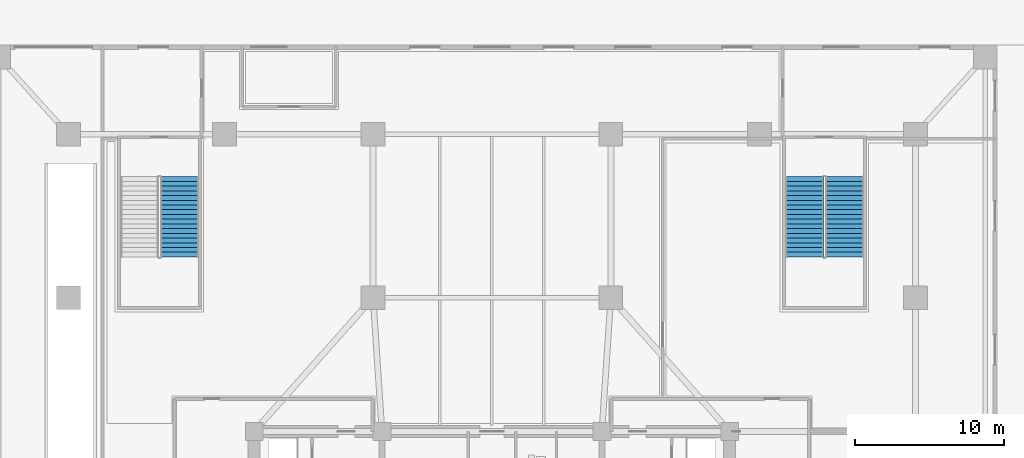
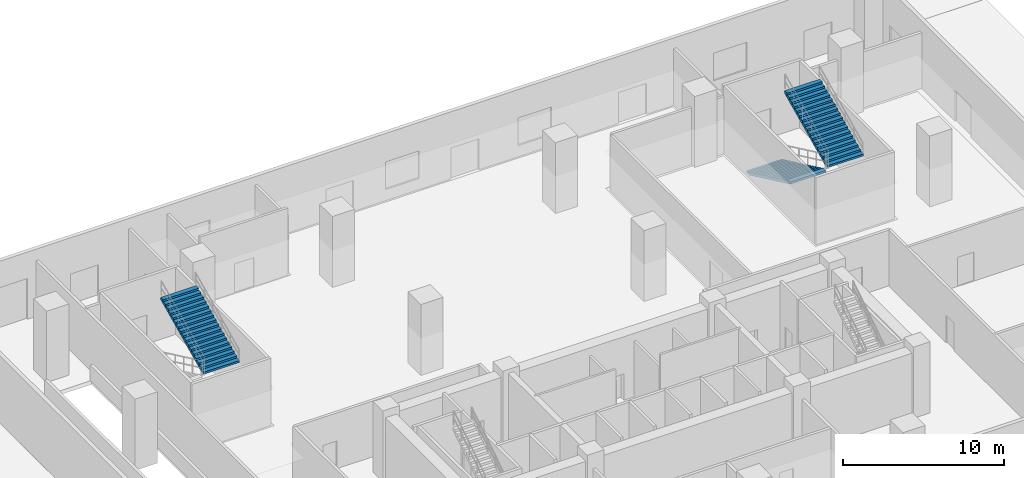
# One storey, part 8 of 15: 3 stair flights, 2 elements without a shape of their own.
"""IFC4 building model written with IfcOpenShell, lengths in metres."""

from ifc_helpers import new_model, si_unit, direction, frame, origin, place, context, subcontext, project, spatial, polyline, outline, extrude, material, type_object, element, aggregate, save


model = new_model("IFC4")

# Units and contexts
model_context = context("Model", 3, precision=1e-05, world=origin(), true_north=direction((0.0, 1.0)))
body_context = subcontext(model_context, "Body", "Model", "MODEL_VIEW")
ifc_project = project(units=[si_unit("LENGTHUNIT", "METRE"), si_unit("AREAUNIT", "SQUARE_METRE"), si_unit("VOLUMEUNIT", "CUBIC_METRE"), si_unit("PLANEANGLEUNIT", "RADIAN"), si_unit("MASSUNIT", "GRAM", prefix="KILO")], contexts=[model_context])

# Site, building, storey
site_placement = place(None, origin())
site = spatial("IfcSite", under=ifc_project, at=site_placement, CompositionType="ELEMENT")
building_placement = place(site_placement, origin())
building = spatial("IfcBuilding", under=site, at=building_placement, Name="Solmavex Isthmus Hotel", CompositionType="ELEMENT")
storey_placement = place(building_placement, origin())
storey = spatial("IfcBuildingStorey", under=building, at=storey_placement, Name="L01", CompositionType="ELEMENT", Elevation=0.0)

# Stair, stair flights
ifc_material = material(Name="Concrete C40/50", Category="concrete")
stair_type_1 = type_object("IfcStairType", Name="STR-ST-3", PredefinedType="HALF_TURN_STAIR", material=ifc_material)
stair_1_placement = place(storey_placement, origin())
stair_1 = element("IfcStair", 1, at=stair_1_placement, inside=storey, type_object=stair_type_1, Name="L01 Podium Assembly Exit Stair ST-3", PredefinedType="HALF_TURN_STAIR")
stair_flight_type_1 = type_object("IfcStairFlightType", Name="SFL-ST-3", PredefinedType="STRAIGHT", material=ifc_material)
stair_flight_1_placement = place(storey_placement, frame((21.02490234375, 14.64990234375, 0.0), z_axis=(0.0, 0.0, 1.0), x_axis=(0.0, -1.0, 0.0)))
stair_flight_1 = element("IfcStairFlight", 2, at=stair_flight_1_placement, type_object=stair_flight_type_1, Name="ST-3 flight 1", NumberOfRisers=18, NumberOfTreads=17, PredefinedType="STRAIGHT", RiserHeight=0.15, TreadLength=0.318, context=body_context, shape_type="SweptSolid", body=[
    extrude(outline(polyline([(0.0, 0.0), (0.0, 0.14990234375), (0.318115234375, 0.14990234375), (0.318115234375, 0.300048828125), (0.635986328125, 0.300048828125), (0.635986328125, 0.449951171875), (0.9541015625, 0.449951171875), (0.9541015625, 0.60009765625), (1.27197265625, 0.60009765625), (1.27197265625, 0.75), (1.590087890625, 0.75), (1.590087890625, 0.89990234375), (1.907958984375, 0.89990234375), (1.907958984375, 1.050048828125), (2.22607421875, 1.050048828125), (2.22607421875, 1.199951171875), (2.5439453125, 1.199951171875), (2.5439453125, 1.35009765625), (2.862060546875, 1.35009765625), (2.862060546875, 1.5), (3.179931640625, 1.5), (3.179931640625, 1.64990234375), (3.498046875, 1.64990234375), (3.498046875, 1.800048828125), (3.81591796875, 1.800048828125), (3.81591796875, 1.949951171875), (4.134033203125, 1.949951171875), (4.134033203125, 2.10009765625), (4.451904296875, 2.10009765625), (4.451904296875, 2.25), (4.77001953125, 2.25), (4.77001953125, 2.39990234375), (5.087890625, 2.39990234375), (5.087890625, 2.550048828125), (5.406005859375, 2.550048828125), (5.406005859375, 2.699951171875), (5.406005859375, 2.38427734375), (0.351318359375, 0.0), (0.0, 0.0)])), frame((0.0, 1.27490234375, 0.0), z_axis=(0.0, -1.0, 0.0), x_axis=(1.0, 0.0, 0.0)), (0.0, 0.0, 1.0), 2.550048828125),
])
stair_flight_2_placement = place(storey_placement, frame((23.72509765625, 9.243896484375, 2.699951171875), z_axis=(0.0, 0.0, 1.0), x_axis=(0.0, 1.0, 0.0)))
stair_flight_2 = element("IfcStairFlight", 3, at=stair_flight_2_placement, type_object=stair_flight_type_1, Name="ST-3 flight 2", NumberOfRisers=18, NumberOfTreads=17, PredefinedType="STRAIGHT", RiserHeight=0.15, TreadLength=0.318, context=body_context, shape_type="SweptSolid", body=[
    extrude(outline(polyline([(0.0, 0.0), (0.0, 0.14990234375), (0.318115234375, 0.14990234375), (0.318115234375, 0.300048828125), (0.635986328125, 0.300048828125), (0.635986328125, 0.449951171875), (0.9541015625, 0.449951171875), (0.9541015625, 0.60009765625), (1.27197265625, 0.60009765625), (1.27197265625, 0.75), (1.590087890625, 0.75), (1.590087890625, 0.89990234375), (1.907958984375, 0.89990234375), (1.907958984375, 1.050048828125), (2.22607421875, 1.050048828125), (2.22607421875, 1.199951171875), (2.5439453125, 1.199951171875), (2.5439453125, 1.35009765625), (2.862060546875, 1.35009765625), (2.862060546875, 1.5), (3.179931640625, 1.5), (3.179931640625, 1.64990234375), (3.498046875, 1.64990234375), (3.498046875, 1.800048828125), (3.81591796875, 1.800048828125), (3.81591796875, 1.949951171875), (4.134033203125, 1.949951171875), (4.134033203125, 2.10009765625), (4.451904296875, 2.10009765625), (4.451904296875, 2.25), (4.77001953125, 2.25), (4.77001953125, 2.39990234375), (5.087890625, 2.39990234375), (5.087890625, 2.550048828125), (5.406005859375, 2.550048828125), (5.406005859375, 2.699951171875), (5.406005859375, 2.38427734375), (0.351318359375, 0.0), (0.0, 0.0)])), frame((0.0, 1.27490234375, 0.0), z_axis=(0.0, -1.0, 0.0), x_axis=(1.0, 0.0, 0.0)), (0.0, 0.0, 1.0), 2.550048828125),
])
aggregate(stair_1, [stair_flight_1, stair_flight_2])

# Stair, stair flight
stair_type_2 = type_object("IfcStairType", Name="STR-ST-4", PredefinedType="HALF_TURN_STAIR", material=ifc_material)
stair_2_placement = place(storey_placement, origin())
stair_2 = element("IfcStair", 4, at=stair_2_placement, inside=storey, type_object=stair_type_2, Name="L01 Podium Assembly Exit Stair ST-4", PredefinedType="HALF_TURN_STAIR")
stair_flight_type_2 = type_object("IfcStairFlightType", Name="SFL-ST-4", PredefinedType="STRAIGHT", material=ifc_material)
stair_flight_3_placement = place(storey_placement, frame((-21.02490234375, 9.243896484375, 2.699951171875), z_axis=(0.0, 0.0, 1.0), x_axis=(0.0, 1.0, 0.0)))
stair_flight_3 = element("IfcStairFlight", 5, at=stair_flight_3_placement, type_object=stair_flight_type_2, Name="ST-4 flight 2", NumberOfRisers=18, NumberOfTreads=17, PredefinedType="STRAIGHT", RiserHeight=0.15, TreadLength=0.318, context=body_context, shape_type="SweptSolid", body=[
    extrude(outline(polyline([(0.0, 0.0), (0.0, 0.14990234375), (0.318115234375, 0.14990234375), (0.318115234375, 0.300048828125), (0.635986328125, 0.300048828125), (0.635986328125, 0.449951171875), (0.9541015625, 0.449951171875), (0.9541015625, 0.60009765625), (1.27197265625, 0.60009765625), (1.27197265625, 0.75), (1.590087890625, 0.75), (1.590087890625, 0.89990234375), (1.907958984375, 0.89990234375), (1.907958984375, 1.050048828125), (2.22607421875, 1.050048828125), (2.22607421875, 1.199951171875), (2.5439453125, 1.199951171875), (2.5439453125, 1.35009765625), (2.862060546875, 1.35009765625), (2.862060546875, 1.5), (3.179931640625, 1.5), (3.179931640625, 1.64990234375), (3.498046875, 1.64990234375), (3.498046875, 1.800048828125), (3.81591796875, 1.800048828125), (3.81591796875, 1.949951171875), (4.134033203125, 1.949951171875), (4.134033203125, 2.10009765625), (4.451904296875, 2.10009765625), (4.451904296875, 2.25), (4.77001953125, 2.25), (4.77001953125, 2.39990234375), (5.087890625, 2.39990234375), (5.087890625, 2.550048828125), (5.406005859375, 2.550048828125), (5.406005859375, 2.699951171875), (5.406005859375, 2.38427734375), (0.351318359375, 0.0), (0.0, 0.0)])), frame((0.0, 1.27490234375, 0.0), z_axis=(0.0, -1.0, 0.0), x_axis=(1.0, 0.0, 0.0)), (0.0, 0.0, 1.0), 2.550048828125),
])
aggregate(stair_2, [stair_flight_3])

save(model, "model.ifc")
